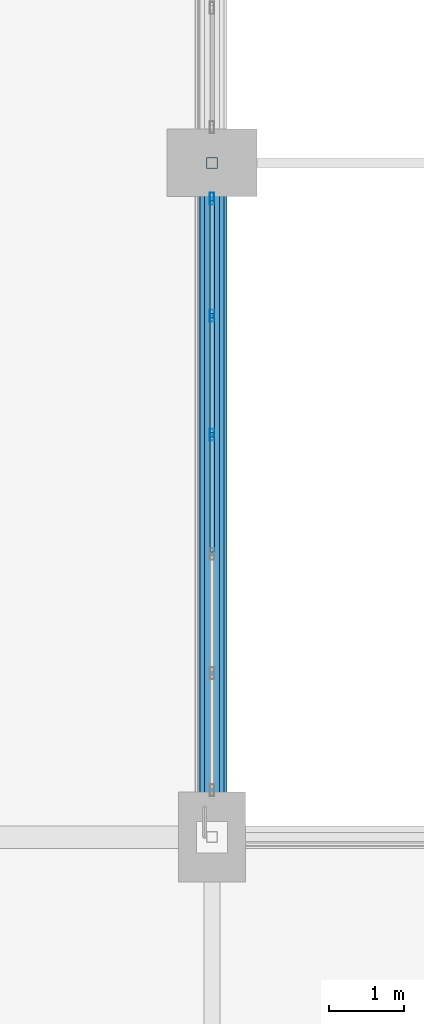
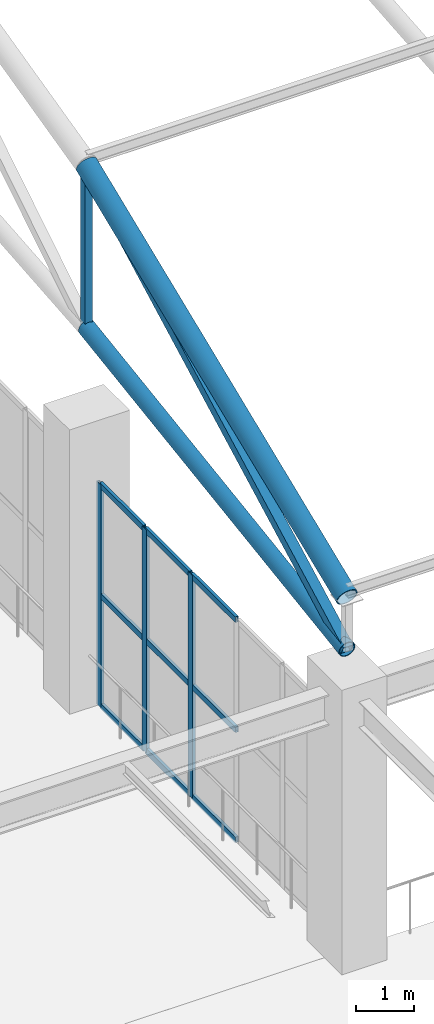
# One storey, part 33 of 223: 16 members, 1 element without a shape of its own.
"""IFC4 building model written with IfcOpenShell, lengths in metres."""

from ifc_helpers import new_model, si_unit, direction, frame, origin, origin_2d, place, context, subcontext, project, spatial, hollow_rectangle, hollow_circle, extrude, material, layer, layer_set, material_profile, profile_set, type_object, element, aggregate, save


model = new_model("IFC4")

# Units and contexts
model_context = context("Model", 3, precision=1e-05, world=origin(), true_north=direction((0.0, 1.0)))
body_context = subcontext(model_context, "Body", "Model", "MODEL_VIEW")
ifc_project = project(units=[si_unit("LENGTHUNIT", "METRE"), si_unit("AREAUNIT", "SQUARE_METRE"), si_unit("VOLUMEUNIT", "CUBIC_METRE"), si_unit("PLANEANGLEUNIT", "RADIAN"), si_unit("MASSUNIT", "GRAM", prefix="KILO")], contexts=[model_context])

# Site, building, storey
site_placement = place(None, origin())
site = spatial("IfcSite", under=ifc_project, at=site_placement, CompositionType="ELEMENT")
building_placement = place(site_placement, origin())
building = spatial("IfcBuilding", under=site, at=building_placement, Name="Dornveld Trade and Exhibition Forum", CompositionType="ELEMENT")
storey_placement = place(building_placement, frame((0.0, 0.0, 6.0)))
storey = spatial("IfcBuildingStorey", under=building, at=storey_placement, Name="L01", CompositionType="ELEMENT", Elevation=6.0)

# Curtain wall, members
ifc_material_1 = material(Name="Dark-bronze anodised aluminium and low-E glass", Category="aluminium")
ifc_layer = layer(ifc_material_1, 0.166015625)
ifc_layer_set = layer_set([ifc_layer], Name="Dark-bronze anodised aluminium and low-E glass")
curtain_wall_type = type_object("IfcCurtainWallType", Name="CW-SYS-08", PredefinedType="USERDEFINED", material=ifc_layer_set)
curtain_wall_placement = place(storey_placement, origin())
curtain_wall = element("IfcCurtainWall", 1, at=curtain_wall_placement, inside=storey, type_object=curtain_wall_type, Name="L01 unitised curtain wall 8", ObjectType="UNITISED_CURTAIN_WALL", PredefinedType="USERDEFINED")
ifc_material_2 = material(Name="Dark-bronze anodised aluminium", Category="aluminium")
ifc_material_profile_1 = material_profile(ifc_material_2, hollow_rectangle(XDim=0.06005859375, YDim=0.159912109375, WallThickness=0.00390625, at=origin_2d()), Name="RHS 160x60x4")
ifc_profile_set_1 = profile_set([ifc_material_profile_1], Name="Dark-bronze anodised aluminium")
member_type_1 = type_object("IfcMemberType", Name="CW-MUL-160", PredefinedType="MULLION", material=ifc_profile_set_1)
member_1_placement = place(storey_placement, frame((99.0, 116.52392578125, -0.00390625), z_axis=(0.0, 0.0, 1.0), x_axis=(1.0, 0.0, 0.0)))
member_1 = element("IfcMember", 2, at=member_1_placement, type_object=member_type_1, Name="CW-08 mullion 1", PredefinedType="MULLION", context=body_context, shape_type="SweptSolid", body=[
    extrude(hollow_rectangle(XDim=0.06005859375, YDim=0.159912109375, WallThickness=0.00390625, at=origin_2d()), origin(), (0.0, 0.0, 1.0), 4.703857421875),
])
member_2_placement = place(storey_placement, frame((99.0, 114.96240234375, -0.00390625), z_axis=(0.0, 0.0, 1.0), x_axis=(1.0, 0.0, 0.0)))
member_2 = element("IfcMember", 3, at=member_2_placement, type_object=member_type_1, Name="CW-08 mullion 2", PredefinedType="MULLION", context=body_context, shape_type="SweptSolid", body=[
    extrude(hollow_rectangle(XDim=0.06005859375, YDim=0.159912109375, WallThickness=0.00390625, at=origin_2d()), origin(), (0.0, 0.0, 1.0), 4.703857421875),
])
member_3_placement = place(storey_placement, frame((99.0, 113.370849609375, -0.00390625), z_axis=(0.0, 0.0, 1.0), x_axis=(1.0, 0.0, 0.0)))
member_3 = element("IfcMember", 4, at=member_3_placement, type_object=member_type_1, Name="CW-08 mullion 3", PredefinedType="MULLION", context=body_context, shape_type="SweptSolid", body=[
    extrude(hollow_rectangle(XDim=0.06005859375, YDim=0.159912109375, WallThickness=0.00390625, at=origin_2d()), origin(), (0.0, 0.0, 1.0), 4.703857421875),
])
ifc_material_3 = material(Name="Dark-bronze anodised aluminium", Category="aluminium")
ifc_material_profile_2 = material_profile(ifc_material_3, hollow_rectangle(XDim=0.06005859375, YDim=0.1201171875, WallThickness=0.00390625, at=origin_2d()), Name="RHS 120x60x4")
ifc_profile_set_2 = profile_set([ifc_material_profile_2], Name="Dark-bronze anodised aluminium")
member_type_2 = type_object("IfcMemberType", Name="CW-TRN-120", PredefinedType="USERDEFINED", material=ifc_profile_set_2)
member_4_placement = place(storey_placement, frame((99.0, 116.493896484375, 0.02587890625), z_axis=(0.0, -1.0, 0.0), x_axis=(1.0, 0.0, 0.0)))
member_4 = element("IfcMember", 5, at=member_4_placement, type_object=member_type_2, Name="CW-08 transom 1.1", ObjectType="TRANSOM", PredefinedType="USERDEFINED", context=body_context, shape_type="SweptSolid", body=[
    extrude(hollow_rectangle(XDim=0.06005859375, YDim=0.1201171875, WallThickness=0.00390625, at=origin_2d()), origin(), (0.0, 0.0, 1.0), 1.50146484375),
])
member_5_placement = place(storey_placement, frame((99.0, 116.493896484375, 2.347900390625), z_axis=(0.0, -1.0, 0.0), x_axis=(1.0, 0.0, 0.0)))
member_5 = element("IfcMember", 6, at=member_5_placement, type_object=member_type_2, Name="CW-08 transom 1.2", ObjectType="TRANSOM", PredefinedType="USERDEFINED", context=body_context, shape_type="SweptSolid", body=[
    extrude(hollow_rectangle(XDim=0.06005859375, YDim=0.1201171875, WallThickness=0.00390625, at=origin_2d()), origin(), (0.0, 0.0, 1.0), 1.50146484375),
])
member_6_placement = place(storey_placement, frame((99.0, 116.493896484375, 4.669921875), z_axis=(0.0, -1.0, 0.0), x_axis=(1.0, 0.0, 0.0)))
member_6 = element("IfcMember", 7, at=member_6_placement, type_object=member_type_2, Name="CW-08 transom 1.3", ObjectType="TRANSOM", PredefinedType="USERDEFINED", context=body_context, shape_type="SweptSolid", body=[
    extrude(hollow_rectangle(XDim=0.06005859375, YDim=0.1201171875, WallThickness=0.00390625, at=origin_2d()), origin(), (0.0, 0.0, 1.0), 1.50146484375),
])
member_7_placement = place(storey_placement, frame((99.0, 114.932373046875, 0.02587890625), z_axis=(0.0, -1.0, 0.0), x_axis=(1.0, 0.0, 0.0)))
member_7 = element("IfcMember", 8, at=member_7_placement, type_object=member_type_2, Name="CW-08 transom 2.1", ObjectType="TRANSOM", PredefinedType="USERDEFINED", context=body_context, shape_type="SweptSolid", body=[
    extrude(hollow_rectangle(XDim=0.06005859375, YDim=0.1201171875, WallThickness=0.00390625, at=origin_2d()), origin(), (0.0, 0.0, 1.0), 1.531494140625),
])
member_8_placement = place(storey_placement, frame((99.0, 114.932373046875, 2.347900390625), z_axis=(0.0, -1.0, 0.0), x_axis=(1.0, 0.0, 0.0)))
member_8 = element("IfcMember", 9, at=member_8_placement, type_object=member_type_2, Name="CW-08 transom 2.2", ObjectType="TRANSOM", PredefinedType="USERDEFINED", context=body_context, shape_type="SweptSolid", body=[
    extrude(hollow_rectangle(XDim=0.06005859375, YDim=0.1201171875, WallThickness=0.00390625, at=origin_2d()), origin(), (0.0, 0.0, 1.0), 1.531494140625),
])
member_9_placement = place(storey_placement, frame((99.0, 114.932373046875, 4.669921875), z_axis=(0.0, -1.0, 0.0), x_axis=(1.0, 0.0, 0.0)))
member_9 = element("IfcMember", 10, at=member_9_placement, type_object=member_type_2, Name="CW-08 transom 2.3", ObjectType="TRANSOM", PredefinedType="USERDEFINED", context=body_context, shape_type="SweptSolid", body=[
    extrude(hollow_rectangle(XDim=0.06005859375, YDim=0.1201171875, WallThickness=0.00390625, at=origin_2d()), origin(), (0.0, 0.0, 1.0), 1.531494140625),
])
member_10_placement = place(storey_placement, frame((99.0, 113.3408203125, 0.02587890625), z_axis=(0.0, -1.0, 0.0), x_axis=(1.0, 0.0, 0.0)))
member_10 = element("IfcMember", 11, at=member_10_placement, type_object=member_type_2, Name="CW-08 transom 3.1", ObjectType="TRANSOM", PredefinedType="USERDEFINED", context=body_context, shape_type="SweptSolid", body=[
    extrude(hollow_rectangle(XDim=0.06005859375, YDim=0.1201171875, WallThickness=0.00390625, at=origin_2d()), origin(), (0.0, 0.0, 1.0), 1.53173828125),
])
member_11_placement = place(storey_placement, frame((99.0, 113.3408203125, 2.347900390625), z_axis=(0.0, -1.0, 0.0), x_axis=(1.0, 0.0, 0.0)))
member_11 = element("IfcMember", 12, at=member_11_placement, type_object=member_type_2, Name="CW-08 transom 3.2", ObjectType="TRANSOM", PredefinedType="USERDEFINED", context=body_context, shape_type="SweptSolid", body=[
    extrude(hollow_rectangle(XDim=0.06005859375, YDim=0.1201171875, WallThickness=0.00390625, at=origin_2d()), origin(), (0.0, 0.0, 1.0), 1.53173828125),
])
member_12_placement = place(storey_placement, frame((99.0, 113.3408203125, 4.669921875), z_axis=(0.0, -1.0, 0.0), x_axis=(1.0, 0.0, 0.0)))
member_12 = element("IfcMember", 13, at=member_12_placement, type_object=member_type_2, Name="CW-08 transom 3.3", ObjectType="TRANSOM", PredefinedType="USERDEFINED", context=body_context, shape_type="SweptSolid", body=[
    extrude(hollow_rectangle(XDim=0.06005859375, YDim=0.1201171875, WallThickness=0.00390625, at=origin_2d()), origin(), (0.0, 0.0, 1.0), 1.53173828125),
])
aggregate(curtain_wall, [member_1, member_2, member_3, member_4, member_5, member_6, member_7, member_8, member_9, member_10, member_11, member_12])

# Members
ifc_material_4 = material(Name="Steel S355J2", Category="steel")
ifc_material_profile_3 = material_profile(ifc_material_4, hollow_circle(Radius=0.161865234375, WallThickness=0.01611328125, at=origin_2d()), Name="CHS 323.9x16")
ifc_profile_set_3 = profile_set([ifc_material_profile_3], Name="Steel S355J2")
member_type_3 = type_object("IfcMemberType", Name="MEM-ARCH-BC", PredefinedType="CHORD", material=ifc_profile_set_3)
member_13_placement = place(storey_placement, frame((99.0, 108.0, 6.35009765625), z_axis=(0.0, 0.989204758987, 0.146539908551), x_axis=(-1.0, 0.0, 0.0)))
element("IfcMember", 14, at=member_13_placement, inside=storey, type_object=member_type_3, Name="H1 truss 1 tie chord 1", PredefinedType="CHORD", context=body_context, shape_type="SweptSolid", body=[
    extrude(hollow_circle(Radius=0.161865234375, WallThickness=0.01611328125, at=origin_2d()), origin(), (0.0, 0.0, 1.0), 9.09814453125),
])
ifc_material_5 = material(Name="Steel S355J2", Category="steel")
ifc_material_profile_4 = material_profile(ifc_material_5, hollow_rectangle(XDim=0.14990234375, YDim=0.14990234375, WallThickness=0.008056640625, at=origin_2d()), Name="SHS 150x150x8")
ifc_profile_set_4 = profile_set([ifc_material_profile_4], Name="Steel S355J2")
member_type_4 = type_object("IfcMemberType", Name="MEM-ARCH-STR", PredefinedType="STRUT", material=ifc_profile_set_4)
member_14_placement = place(storey_placement, frame((99.0, 117.0, 7.683349609375), z_axis=(0.0, 0.0, 1.0), x_axis=(1.0, 0.0, 0.0)))
element("IfcMember", 15, at=member_14_placement, inside=storey, type_object=member_type_4, Name="H1 truss 1 strut 2", PredefinedType="STRUT", context=body_context, shape_type="SweptSolid", body=[
    extrude(hollow_rectangle(XDim=0.14990234375, YDim=0.14990234375, WallThickness=0.008056640625, at=origin_2d()), origin(), (0.0, 0.0, 1.0), 3.433349609375),
])
ifc_material_6 = material(Name="Steel S355J2", Category="steel")
ifc_material_profile_5 = material_profile(ifc_material_6, hollow_circle(Radius=0.203125, WallThickness=0.02001953125, at=origin_2d()), Name="CHS 406.4x20")
ifc_profile_set_5 = profile_set([ifc_material_profile_5], Name="Steel S355J2")
member_type_5 = type_object("IfcMemberType", Name="MEM-ARCH-TC", PredefinedType="CHORD", material=ifc_profile_set_5)
member_15_placement = place(storey_placement, frame((99.0, 108.0, 7.449951171875), z_axis=(0.0, 0.926089433793, 0.377304069177), x_axis=(-1.0, 0.0, 0.0)))
element("IfcMember", 16, at=member_15_placement, inside=storey, type_object=member_type_5, Name="H1 truss 1 top chord 1", PredefinedType="CHORD", context=body_context, shape_type="SweptSolid", body=[
    extrude(hollow_circle(Radius=0.203125, WallThickness=0.02001953125, at=origin_2d()), origin(), (0.0, 0.0, 1.0), 9.71826171875),
])
ifc_material_7 = material(Name="Steel S355J2", Category="steel")
ifc_material_profile_6 = material_profile(ifc_material_7, hollow_rectangle(XDim=0.199951171875, YDim=0.199951171875, WallThickness=0.010009765625, at=origin_2d()), Name="SHS 200x200x10")
ifc_profile_set_6 = profile_set([ifc_material_profile_6], Name="Steel S355J2")
member_type_6 = type_object("IfcMemberType", Name="MEM-ARCH-WEB", PredefinedType="BRACE", material=ifc_profile_set_6)
member_16_placement = place(storey_placement, frame((99.0, 108.0, 6.35009765625), z_axis=(0.0, 0.883710934211, 0.468033102201), x_axis=(-1.0, 0.0, 0.0)))
element("IfcMember", 17, at=member_16_placement, inside=storey, type_object=member_type_6, Name="H1 truss 1 web 1", PredefinedType="BRACE", context=body_context, shape_type="SweptSolid", body=[
    extrude(hollow_rectangle(XDim=0.199951171875, YDim=0.199951171875, WallThickness=0.010009765625, at=origin_2d()), origin(), (0.0, 0.0, 1.0), 10.184326171875),
])

save(model, "model.ifc")
